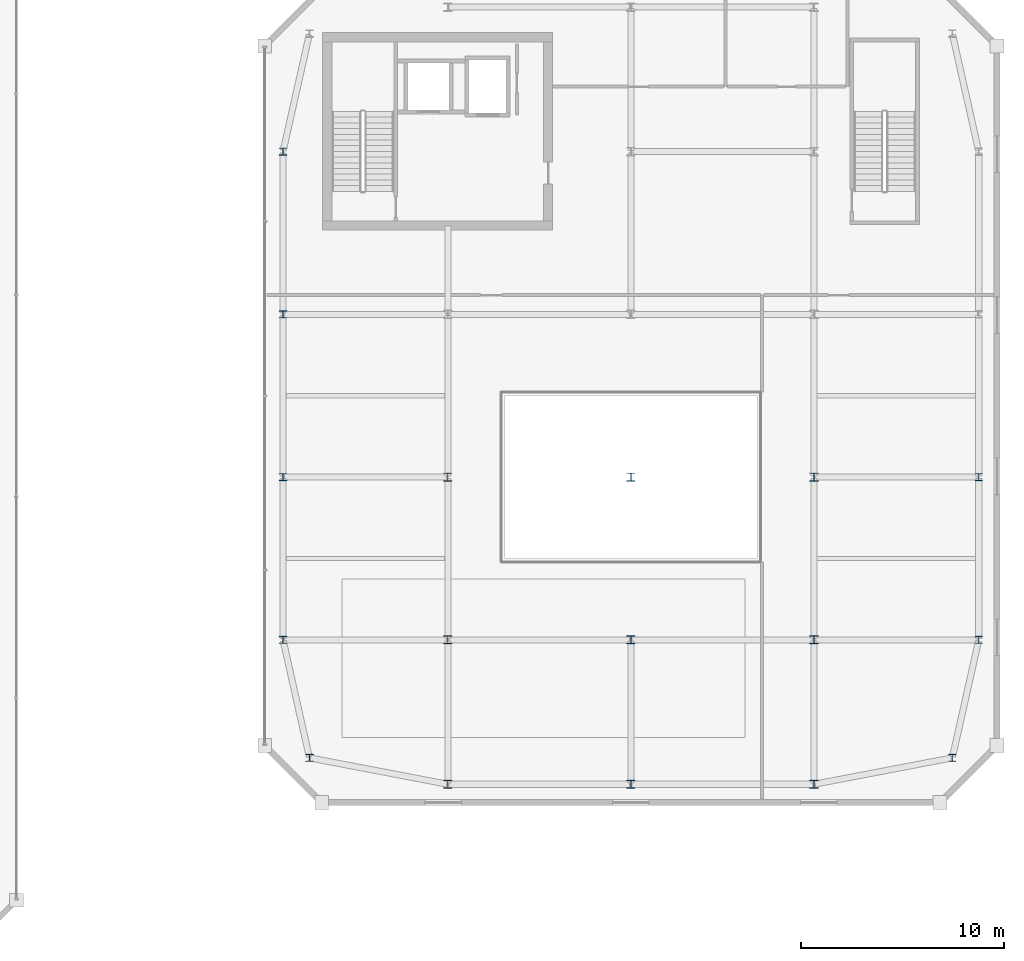
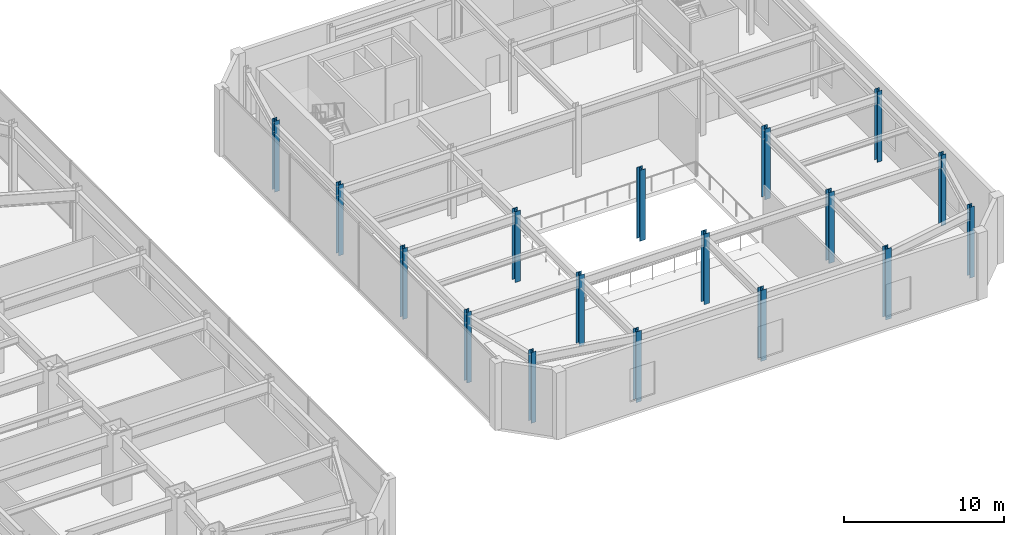
# One storey, part 6 of 52: 17 columns.
"""IFC4 building model written with IfcOpenShell, lengths in metres."""

from ifc_helpers import new_model, si_unit, direction, frame, origin, origin_2d, place, context, subcontext, project, spatial, i_section, extrude, material, material_profile, profile_set, type_object, element, save


model = new_model("IFC4")

# Units and contexts
model_context = context("Model", 3, precision=1e-05, world=origin(), true_north=direction((0.0, 1.0)))
body_context = subcontext(model_context, "Body", "Model", "MODEL_VIEW")
ifc_project = project(units=[si_unit("LENGTHUNIT", "METRE"), si_unit("AREAUNIT", "SQUARE_METRE"), si_unit("VOLUMEUNIT", "CUBIC_METRE"), si_unit("PLANEANGLEUNIT", "RADIAN"), si_unit("MASSUNIT", "GRAM", prefix="KILO")], contexts=[model_context])

# Site, building, storey
site_placement = place(None, origin())
site = spatial("IfcSite", under=ifc_project, at=site_placement, CompositionType="ELEMENT")
building_placement = place(site_placement, origin())
building = spatial("IfcBuilding", under=site, at=building_placement, Name="Saevonmaru Cultural Tower", CompositionType="ELEMENT")
storey_placement = place(building_placement, frame((0.0, 0.0, 11.39990234375)))
storey = spatial("IfcBuildingStorey", under=building, at=storey_placement, Name="L02", CompositionType="ELEMENT", Elevation=11.39990234375)

# Columns
ifc_material = material(Name="Steel SM355", Category="steel")
ifc_material_profile_1 = material_profile(ifc_material, i_section(OverallWidth=0.35009765625, OverallDepth=0.35009765625, WebThickness=0.011962890625, FlangeThickness=0.01904296875, FilletRadius=0.02001953125, at=origin_2d()), Name="H-350x350x12x19")
ifc_profile_set_1 = profile_set([ifc_material_profile_1], Name="Steel SM355")
column_type_1 = type_object("IfcColumnType", Name="COL-H-350", PredefinedType="COLUMN", material=ifc_profile_set_1)
for number, where, z_axis, x_axis, name in (
    (1, (74.39990234375, 10.199951171875, 0.0), (0.0, 0.0, 1.0), (1.0, 0.0, 0.0), "L02 Column LC-9-B"),
    (2, (73.10009765625, 16.0, 0.0), (0.0, 0.0, 1.0), (1.0, 0.0, 0.0), "L02 Column LC-9-C"),
    (3, (73.10009765625, 24.0, 0.0), (0.0, 0.0, 1.0), (1.0, 0.0, 0.0), "L02 Column LC-9-D"),
    (4, (73.10009765625, 32.0, 0.0), (0.0, 0.0, 1.0), (1.0, 0.0, 0.0), "L02 Column LC-9-E"),
    (5, (73.10009765625, 40.0, 0.0), (0.0, 0.0, 1.0), (1.0, 0.0, 0.0), "L02 Column LC-9-F"),
    (6, (106.0, 10.199951171875, 0.0), (0.0, 0.0, 1.0), (1.0, 0.0, 0.0), "L02 Column LC-13-B"),
    (7, (107.300048828125, 16.0, 0.0), (0.0, 0.0, 1.0), (1.0, 0.0, 0.0), "L02 Column LC-13-C"),
    (8, (107.300048828125, 24.0, 0.0), (0.0, 0.0, 1.0), (1.0, 0.0, 0.0), "L02 Column LC-13-D"),
):
    element("IfcColumn", number, at=place(storey_placement, frame(where, z_axis=z_axis, x_axis=x_axis)), inside=storey, type_object=column_type_1, Name=name, PredefinedType="COLUMN", context=body_context, shape_type="SweptSolid", body=[
        extrude(i_section(OverallWidth=0.35009765625, OverallDepth=0.35009765625, WebThickness=0.011962890625, FlangeThickness=0.01904296875, FilletRadius=0.02001953125, at=origin_2d()), origin(), (0.0, 0.0, 1.0), 5.400146484375),
    ])
ifc_material_profile_2 = material_profile(ifc_material, i_section(OverallWidth=0.39990234375, OverallDepth=0.39990234375, WebThickness=0.012939453125, FlangeThickness=0.02099609375, FilletRadius=0.02197265625, at=origin_2d()), Name="H-400x400x13x21")
ifc_profile_set_2 = profile_set([ifc_material_profile_2], Name="Steel SM355")
column_type_2 = type_object("IfcColumnType", Name="COL-H-400", PredefinedType="COLUMN", material=ifc_profile_set_2)
for number, where, z_axis, x_axis, name in (
    (9, (81.199951171875, 8.89990234375, 0.0), (0.0, 0.0, 1.0), (1.0, 0.0, 0.0), "L02 Column LC-10-B"),
    (10, (81.199951171875, 16.0, 0.0), (0.0, 0.0, 1.0), (1.0, 0.0, 0.0), "L02 Column LC-10-C"),
    (11, (81.199951171875, 24.0, 0.0), (0.0, 0.0, 1.0), (1.0, 0.0, 0.0), "L02 Column LC-10-D"),
    (12, (90.199951171875, 8.89990234375, 0.0), (0.0, 0.0, 1.0), (1.0, 0.0, 0.0), "L02 Column LC-11-B"),
    (13, (90.199951171875, 16.0, 0.0), (0.0, 0.0, 1.0), (1.0, 0.0, 0.0), "L02 Column LC-11-C"),
    (14, (90.199951171875, 24.0, 0.0), (0.0, 0.0, 1.0), (1.0, 0.0, 0.0), "L02 Column LC-11-D"),
    (15, (99.199951171875, 8.89990234375, 0.0), (0.0, 0.0, 1.0), (1.0, 0.0, 0.0), "L02 Column LC-12-B"),
    (16, (99.199951171875, 16.0, 0.0), (0.0, 0.0, 1.0), (1.0, 0.0, 0.0), "L02 Column LC-12-C"),
    (17, (99.199951171875, 24.0, 0.0), (0.0, 0.0, 1.0), (1.0, 0.0, 0.0), "L02 Column LC-12-D"),
):
    element("IfcColumn", number, at=place(storey_placement, frame(where, z_axis=z_axis, x_axis=x_axis)), inside=storey, type_object=column_type_2, Name=name, PredefinedType="COLUMN", context=body_context, shape_type="SweptSolid", body=[
        extrude(i_section(OverallWidth=0.39990234375, OverallDepth=0.39990234375, WebThickness=0.012939453125, FlangeThickness=0.02099609375, FilletRadius=0.02197265625, at=origin_2d()), origin(), (0.0, 0.0, 1.0), 5.400146484375),
    ])

save(model, "model.ifc")
